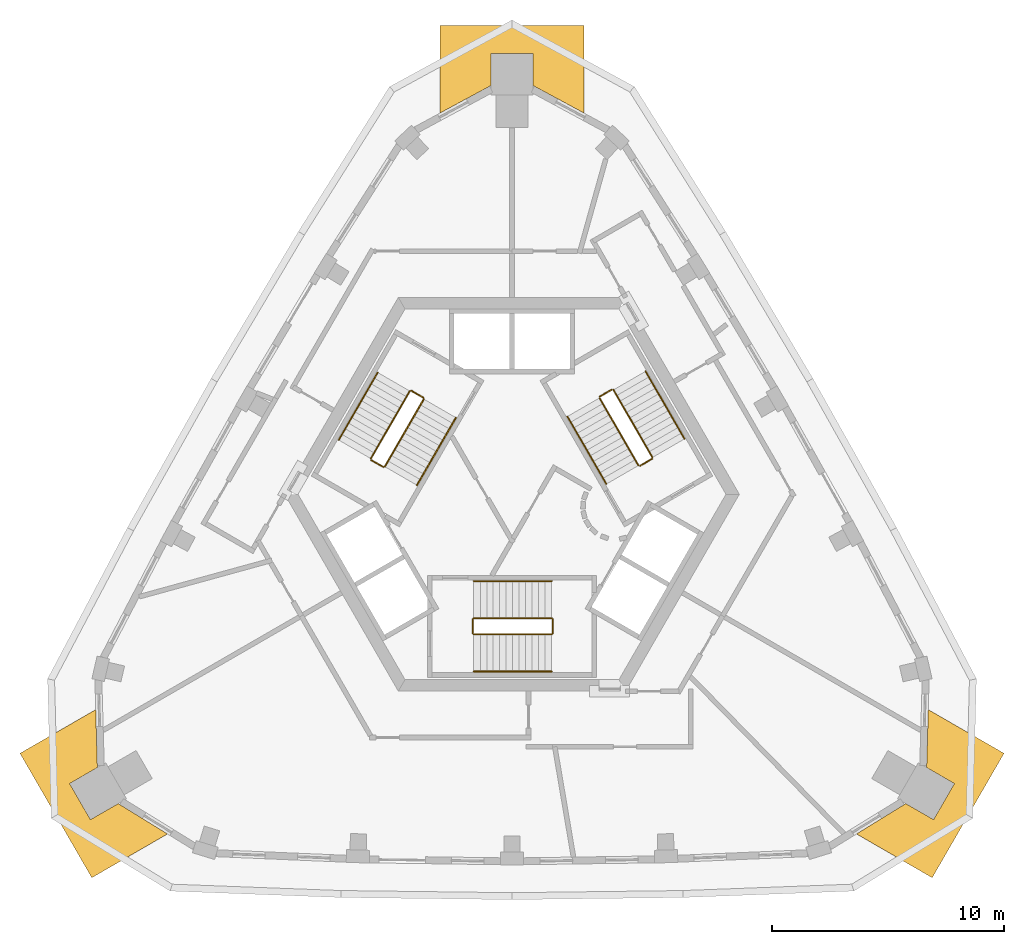
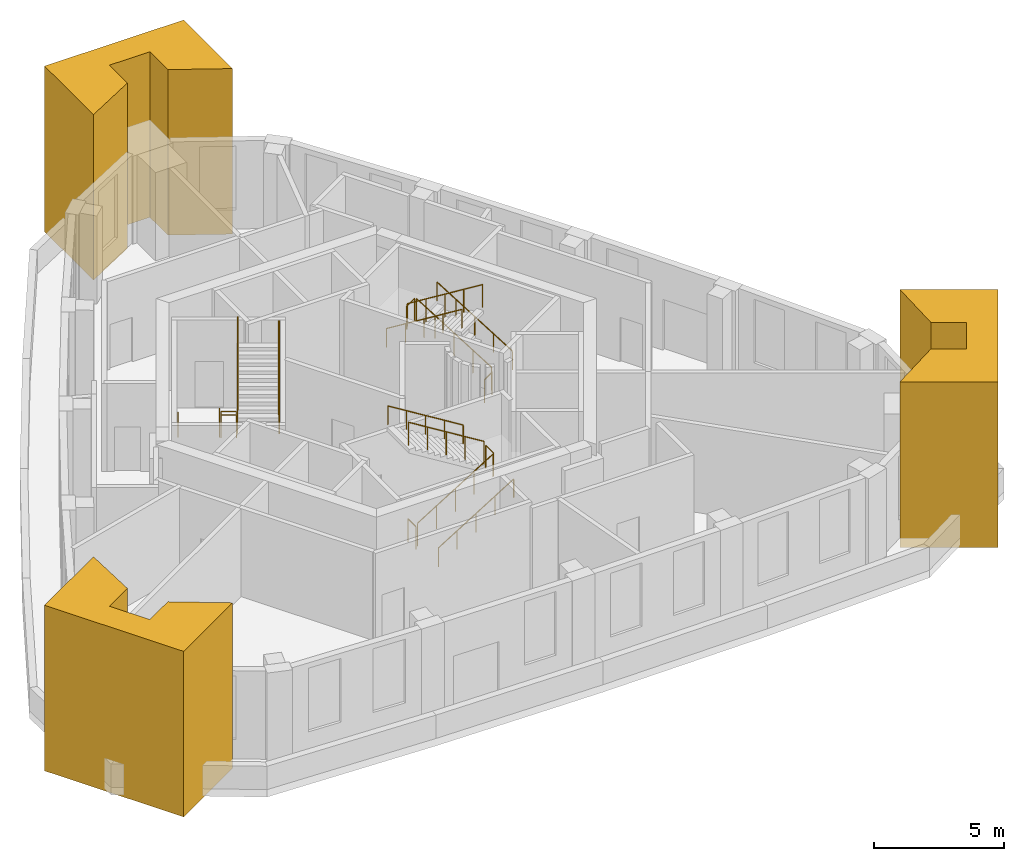
# One storey, part 7 of 7: 18 railings, 3 coverings.
"""IFC4 building model written with IfcOpenShell, lengths in metres."""

from ifc_helpers import new_model, si_unit, direction, frame, origin, origin_2d, place, context, subcontext, project, spatial, polyline, circle, outline, extrude, material, type_object, element, save


model = new_model("IFC4")

# Units and contexts
model_context = context("Model", 3, precision=1e-05, world=origin(), true_north=direction((0.0, 1.0)))
body_context = subcontext(model_context, "Body", "Model", "MODEL_VIEW")
ifc_project = project(units=[si_unit("LENGTHUNIT", "METRE"), si_unit("AREAUNIT", "SQUARE_METRE"), si_unit("VOLUMEUNIT", "CUBIC_METRE"), si_unit("PLANEANGLEUNIT", "RADIAN"), si_unit("MASSUNIT", "GRAM", prefix="KILO")], contexts=[model_context])

# Site, building, storey
site_placement = place(None, origin())
site = spatial("IfcSite", under=ifc_project, at=site_placement, CompositionType="ELEMENT")
building_placement = place(site_placement, origin())
building = spatial("IfcBuilding", under=site, at=building_placement, Name="Entoto Arch Interchange Tower", CompositionType="ELEMENT")
storey_placement = place(building_placement, frame((0.0, 0.0, 349.39990234375)))
storey = spatial("IfcBuildingStorey", under=building, at=storey_placement, Name="L82", CompositionType="ELEMENT", Elevation=349.39990234375)

# Coverings
ifc_material_1 = material(Name="Board-marked precast concrete C50/60", Category="concrete")
covering_type = type_object("IfcCoveringType", Name="PRECAST FRAME COURSE", PredefinedType="CLADDING", material=ifc_material_1)
covering_1_placement = place(storey_placement, frame((0.0, 0.0, -0.449951171875)))
element("IfcCovering", 1, at=covering_1_placement, inside=storey, type_object=covering_type, Name="Corner pilaster SE L82-L83", PredefinedType="CLADDING", context=body_context, shape_type="SweptSolid", body=[
    extrude(outline(polyline([(21.240966796875, -8.68408203125), (18.14111328125, -14.053955078125), (14.8720703125, -12.166015625), (17.0009765625, -10.85498046875), (18.200927734375, -11.548095703125), (19.10107421875, -9.989990234375), (17.90087890625, -9.297119140625), (17.971923828125, -6.797119140625), (21.240966796875, -8.68408203125)])), origin(), (0.0, 0.0, 1.0), 7.800048828125),
])
covering_2_placement = place(storey_placement, frame((0.0, 0.0, -0.449951171875)))
element("IfcCovering", 2, at=covering_2_placement, inside=storey, type_object=covering_type, Name="Corner pilaster N L82-L83", PredefinedType="CLADDING", context=body_context, shape_type="SweptSolid", body=[
    extrude(outline(polyline([(-3.10009765625, 22.737060546875), (3.10009765625, 22.737060546875), (3.10009765625, 18.9619140625), (0.89990234375, 20.15087890625), (0.89990234375, 21.537109375), (-0.89990234375, 21.537109375), (-0.89990234375, 20.15087890625), (-3.10009765625, 18.9619140625), (-3.10009765625, 22.737060546875)])), origin(), (0.0, 0.0, 1.0), 7.800048828125),
])
covering_3_placement = place(storey_placement, frame((0.0, 0.0, -0.449951171875)))
element("IfcCovering", 3, at=covering_3_placement, inside=storey, type_object=covering_type, Name="Corner pilaster SW L82-L83", PredefinedType="CLADDING", context=body_context, shape_type="SweptSolid", body=[
    extrude(outline(polyline([(-18.14111328125, -14.053955078125), (-21.240966796875, -8.68408203125), (-17.971923828125, -6.797119140625), (-17.90087890625, -9.297119140625), (-19.10107421875, -9.989990234375), (-18.200927734375, -11.548095703125), (-17.0009765625, -10.85498046875), (-14.8720703125, -12.166015625), (-18.14111328125, -14.053955078125)])), origin(), (0.0, 0.0, 1.0), 7.800048828125),
])

# Railings
ifc_material_2 = material(Name="Stainless steel 1.4301", Category="steel")
railing_type_1 = type_object("IfcRailingType", Name="STAIR GUARD 1100 STEEL", PredefinedType="GUARDRAIL", material=ifc_material_2)
railing_1_placement = place(storey_placement, frame((-1.64990234375, -3.550048828125, 0.173095703125)))
element("IfcRailing", 4, at=railing_1_placement, inside=storey, type_object=railing_type_1, Name="L82 ST-S stair guard 1", PredefinedType="GUARDRAIL", context=body_context, shape_type="SweptSolid", body=[
    extrude(circle(Radius=0.02392578125, at=origin_2d()), frame((0.0, 0.0, 1.076171875), z_axis=(0.850606129759, 0.0, 0.525803396734), x_axis=(0.0, 1.0, 0.0)), (0.0, 0.0, 1.0), 3.949951171875),
    extrude(circle(Radius=0.02099609375, at=origin_2d()), origin(), (0.0, 0.0, 1.0), 1.052001953125),
    extrude(circle(Radius=0.02099609375, at=origin_2d()), frame((0.83984375, 0.0, 0.519287109375)), (0.0, 0.0, 1.0), 1.052001953125),
    extrude(circle(Radius=0.02099609375, at=origin_2d()), frame((1.679931640625, 0.0, 1.03857421875)), (0.0, 0.0, 1.0), 1.052001953125),
    extrude(circle(Radius=0.02099609375, at=origin_2d()), frame((2.52001953125, 0.0, 1.5576171875)), (0.0, 0.0, 1.0), 1.052001953125),
    extrude(circle(Radius=0.02099609375, at=origin_2d()), frame((3.35986328125, 0.0, 2.076904296875)), (0.0, 0.0, 1.0), 1.052001953125),
])
railing_2_placement = place(storey_placement, frame((1.760009765625, -3.5, 2.25)))
element("IfcRailing", 5, at=railing_2_placement, inside=storey, type_object=railing_type_1, Name="L82 ST-S stair guard 2", PredefinedType="GUARDRAIL", context=body_context, shape_type="SweptSolid", body=[
    extrude(circle(Radius=0.02392578125, at=origin_2d()), frame((0.0, 0.0, 1.076171875), z_axis=(0.0, 1.0, 0.0), x_axis=(-1.0, 0.0, 0.0)), (0.0, 0.0, 1.0), 0.60009765625),
    extrude(circle(Radius=0.02099609375, at=origin_2d()), origin(), (0.0, 0.0, 1.0), 1.052001953125),
    extrude(circle(Radius=0.02099609375, at=origin_2d()), frame((0.0, 0.60009765625, 0.0)), (0.0, 0.0, 1.0), 1.052001953125),
])
railing_3_placement = place(storey_placement, frame((1.7099609375, -2.85009765625, 2.423095703125)))
element("IfcRailing", 6, at=railing_3_placement, inside=storey, type_object=railing_type_1, Name="L82 ST-S stair guard 3", PredefinedType="GUARDRAIL", context=body_context, shape_type="SweptSolid", body=[
    extrude(circle(Radius=0.02392578125, at=origin_2d()), frame((0.0, 0.0, 1.076171875), z_axis=(-0.850606129759, 0.0, 0.525803396734), x_axis=(0.0, -1.0, 0.0)), (0.0, 0.0, 1.0), 3.949951171875),
    extrude(circle(Radius=0.02099609375, at=origin_2d()), origin(), (0.0, 0.0, 1.0), 1.052001953125),
    extrude(circle(Radius=0.02099609375, at=origin_2d()), frame((-0.83984375, 0.0, 0.519287109375)), (0.0, 0.0, 1.0), 1.052001953125),
    extrude(circle(Radius=0.02099609375, at=origin_2d()), frame((-1.679931640625, 0.0, 1.03857421875)), (0.0, 0.0, 1.0), 1.052001953125),
    extrude(circle(Radius=0.02099609375, at=origin_2d()), frame((-2.52001953125, 0.0, 1.5576171875)), (0.0, 0.0, 1.0), 1.052001953125),
    extrude(circle(Radius=0.02099609375, at=origin_2d()), frame((-3.35986328125, 0.0, 2.076904296875)), (0.0, 0.0, 1.0), 1.052001953125),
])
railing_4_placement = place(storey_placement, frame((-1.699951171875, -3.5, 0.0)))
element("IfcRailing", 7, at=railing_4_placement, inside=storey, type_object=railing_type_1, Name="L82 ST-S stair guard 4", PredefinedType="GUARDRAIL", context=body_context, shape_type="SweptSolid", body=[
    extrude(circle(Radius=0.02392578125, at=origin_2d()), frame((0.0, 0.0, 1.076171875), z_axis=(0.0, 1.0, 0.0), x_axis=(-1.0, 0.0, 0.0)), (0.0, 0.0, 1.0), 0.60009765625),
    extrude(circle(Radius=0.02099609375, at=origin_2d()), origin(), (0.0, 0.0, 1.0), 1.052001953125),
    extrude(circle(Radius=0.02099609375, at=origin_2d()), frame((0.0, 0.60009765625, 0.0)), (0.0, 0.0, 1.0), 1.052001953125),
])
railing_5_placement = place(storey_placement, frame((6.064453125, 4.095947265625, 0.173095703125)))
element("IfcRailing", 8, at=railing_5_placement, inside=storey, type_object=railing_type_1, Name="L82 ST-NE stair guard 1", PredefinedType="GUARDRAIL", context=body_context, shape_type="SweptSolid", body=[
    extrude(circle(Radius=0.02392578125, at=origin_2d()), frame((0.0, 0.0, 1.076171875), z_axis=(-0.425288379326, 0.736667954249, 0.525785240943), x_axis=(-0.866039179741, -0.499976138585, 0.0)), (0.0, 0.0, 1.0), 3.9501953125),
    extrude(circle(Radius=0.02099609375, at=origin_2d()), origin(), (0.0, 0.0, 1.0), 1.052001953125),
    extrude(circle(Radius=0.02099609375, at=origin_2d()), frame((-0.419921875, 0.7275390625, 0.519287109375)), (0.0, 0.0, 1.0), 1.052001953125),
    extrude(circle(Radius=0.02099609375, at=origin_2d()), frame((-0.83984375, 1.455078125, 1.03857421875)), (0.0, 0.0, 1.0), 1.052001953125),
    extrude(circle(Radius=0.02099609375, at=origin_2d()), frame((-1.260009765625, 2.182373046875, 1.5576171875)), (0.0, 0.0, 1.0), 1.052001953125),
    extrude(circle(Radius=0.02099609375, at=origin_2d()), frame((-1.679931640625, 2.909912109375, 2.076904296875)), (0.0, 0.0, 1.0), 1.052001953125),
])
railing_6_placement = place(storey_placement, frame((4.316162109375, 7.024169921875, 2.25)))
element("IfcRailing", 9, at=railing_6_placement, inside=storey, type_object=railing_type_1, Name="L82 ST-NE stair guard 2", PredefinedType="GUARDRAIL", context=body_context, shape_type="SweptSolid", body=[
    extrude(circle(Radius=0.02392578125, at=origin_2d()), frame((0.0, 0.0, 1.076171875), z_axis=(-0.865955154139, -0.50012165622, 0.0), x_axis=(0.50012165622, -0.865955154139, 0.0)), (0.0, 0.0, 1.0), 0.599853515625),
    extrude(circle(Radius=0.02099609375, at=origin_2d()), origin(), (0.0, 0.0, 1.0), 1.052001953125),
    extrude(circle(Radius=0.02099609375, at=origin_2d()), frame((-0.51953125, -0.300048828125, 0.0)), (0.0, 0.0, 1.0), 1.052001953125),
])
railing_7_placement = place(storey_placement, frame((3.7783203125, 6.656005859375, 2.423095703125)))
element("IfcRailing", 10, at=railing_7_placement, inside=storey, type_object=railing_type_1, Name="L82 ST-NE stair guard 3", PredefinedType="GUARDRAIL", context=body_context, shape_type="SweptSolid", body=[
    extrude(circle(Radius=0.02392578125, at=origin_2d()), frame((0.0, 0.0, 1.076171875), z_axis=(0.425288379326, -0.736667954249, 0.525785240943), x_axis=(0.866039179741, 0.499976138585, 0.0)), (0.0, 0.0, 1.0), 3.9501953125),
    extrude(circle(Radius=0.02099609375, at=origin_2d()), origin(), (0.0, 0.0, 1.0), 1.052001953125),
    extrude(circle(Radius=0.02099609375, at=origin_2d()), frame((0.419921875, -0.7275390625, 0.519287109375)), (0.0, 0.0, 1.0), 1.052001953125),
    extrude(circle(Radius=0.02099609375, at=origin_2d()), frame((0.83984375, -1.455078125, 1.03857421875)), (0.0, 0.0, 1.0), 1.052001953125),
    extrude(circle(Radius=0.02099609375, at=origin_2d()), frame((1.260009765625, -2.182373046875, 1.5576171875)), (0.0, 0.0, 1.0), 1.052001953125),
    extrude(circle(Radius=0.02099609375, at=origin_2d()), frame((1.679931640625, -2.909912109375, 2.076904296875)), (0.0, 0.0, 1.0), 1.052001953125),
])
railing_8_placement = place(storey_placement, frame((6.046142578125, 4.02783203125, 0.0)))
element("IfcRailing", 11, at=railing_8_placement, inside=storey, type_object=railing_type_1, Name="L82 ST-NE stair guard 4", PredefinedType="GUARDRAIL", context=body_context, shape_type="SweptSolid", body=[
    extrude(circle(Radius=0.02392578125, at=origin_2d()), frame((0.0, 0.0, 1.076171875), z_axis=(-0.865955154139, -0.50012165622, 0.0), x_axis=(0.50012165622, -0.865955154139, 0.0)), (0.0, 0.0, 1.0), 0.599853515625),
    extrude(circle(Radius=0.02099609375, at=origin_2d()), origin(), (0.0, 0.0, 1.0), 1.052001953125),
    extrude(circle(Radius=0.02099609375, at=origin_2d()), frame((-0.51953125, -0.300048828125, 0.0)), (0.0, 0.0, 1.0), 1.052001953125),
])
railing_9_placement = place(storey_placement, frame((-4.41455078125, 6.953857421875, 0.173095703125)))
element("IfcRailing", 12, at=railing_9_placement, inside=storey, type_object=railing_type_1, Name="L82 ST-NW stair guard 1", PredefinedType="GUARDRAIL", context=body_context, shape_type="SweptSolid", body=[
    extrude(circle(Radius=0.02392578125, at=origin_2d()), frame((0.0, 0.0, 1.076171875), z_axis=(-0.425307743487, -0.736639687092, 0.525809180911), x_axis=(0.866021014662, -0.500007602105, 0.0)), (0.0, 0.0, 1.0), 3.949951171875),
    extrude(circle(Radius=0.02099609375, at=origin_2d()), origin(), (0.0, 0.0, 1.0), 1.052001953125),
    extrude(circle(Radius=0.02099609375, at=origin_2d()), frame((-0.419921875, -0.7275390625, 0.519287109375)), (0.0, 0.0, 1.0), 1.052001953125),
    extrude(circle(Radius=0.02099609375, at=origin_2d()), frame((-0.83984375, -1.454833984375, 1.03857421875)), (0.0, 0.0, 1.0), 1.052001953125),
    extrude(circle(Radius=0.02099609375, at=origin_2d()), frame((-1.260009765625, -2.18212890625, 1.5576171875)), (0.0, 0.0, 1.0), 1.052001953125),
    extrude(circle(Radius=0.02099609375, at=origin_2d()), frame((-1.679931640625, -2.90966796875, 2.076904296875)), (0.0, 0.0, 1.0), 1.052001953125),
])
railing_10_placement = place(storey_placement, frame((-6.076171875, 3.975830078125, 2.25)))
element("IfcRailing", 13, at=railing_10_placement, inside=storey, type_object=railing_type_1, Name="L82 ST-NW stair guard 2", PredefinedType="GUARDRAIL", context=body_context, shape_type="SweptSolid", body=[
    extrude(circle(Radius=0.02392578125, at=origin_2d()), frame((0.0, 0.0, 1.076171875), z_axis=(0.865955154139, -0.50012165622, 0.0), x_axis=(0.50012165622, 0.865955154139, 0.0)), (0.0, 0.0, 1.0), 0.599853515625),
    extrude(circle(Radius=0.02099609375, at=origin_2d()), origin(), (0.0, 0.0, 1.0), 1.052001953125),
    extrude(circle(Radius=0.02099609375, at=origin_2d()), frame((0.51953125, -0.300048828125, 0.0)), (0.0, 0.0, 1.0), 1.052001953125),
])
railing_11_placement = place(storey_placement, frame((-5.48828125, 3.694091796875, 2.423095703125)))
element("IfcRailing", 14, at=railing_11_placement, inside=storey, type_object=railing_type_1, Name="L82 ST-NW stair guard 3", PredefinedType="GUARDRAIL", context=body_context, shape_type="SweptSolid", body=[
    extrude(circle(Radius=0.02392578125, at=origin_2d()), frame((0.0, 0.0, 1.076171875), z_axis=(0.425288379326, 0.736667954249, 0.525785240943), x_axis=(-0.866039179741, 0.499976138585, 0.0)), (0.0, 0.0, 1.0), 3.9501953125),
    extrude(circle(Radius=0.02099609375, at=origin_2d()), origin(), (0.0, 0.0, 1.0), 1.052001953125),
    extrude(circle(Radius=0.02099609375, at=origin_2d()), frame((0.419921875, 0.7275390625, 0.519287109375)), (0.0, 0.0, 1.0), 1.052001953125),
    extrude(circle(Radius=0.02099609375, at=origin_2d()), frame((0.83984375, 1.455078125, 1.03857421875)), (0.0, 0.0, 1.0), 1.052001953125),
    extrude(circle(Radius=0.02099609375, at=origin_2d()), frame((1.260009765625, 2.182373046875, 1.5576171875)), (0.0, 0.0, 1.0), 1.052001953125),
    extrude(circle(Radius=0.02099609375, at=origin_2d()), frame((1.679931640625, 2.909912109375, 2.076904296875)), (0.0, 0.0, 1.0), 1.052001953125),
])
railing_12_placement = place(storey_placement, frame((-4.34619140625, 6.97216796875, 0.0)))
element("IfcRailing", 15, at=railing_12_placement, inside=storey, type_object=railing_type_1, Name="L82 ST-NW stair guard 4", PredefinedType="GUARDRAIL", context=body_context, shape_type="SweptSolid", body=[
    extrude(circle(Radius=0.02392578125, at=origin_2d()), frame((0.0, 0.0, 1.076171875), z_axis=(0.866232998003, -0.499640263761, 0.0), x_axis=(0.499640263761, 0.866232998003, 0.0)), (0.0, 0.0, 1.0), 0.60009765625),
    extrude(circle(Radius=0.02099609375, at=origin_2d()), origin(), (0.0, 0.0, 1.0), 1.052001953125),
    extrude(circle(Radius=0.02099609375, at=origin_2d()), frame((0.519775390625, -0.2998046875, 0.0)), (0.0, 0.0, 1.0), 1.052001953125),
])
railing_type_2 = type_object("IfcRailingType", Name="STAIR HANDRAIL 900 STEEL", PredefinedType="HANDRAIL", material=ifc_material_2)
railing_13_placement = place(storey_placement, frame((-1.64990234375, -5.14990234375, 0.173095703125)))
element("IfcRailing", 16, at=railing_13_placement, inside=storey, type_object=railing_type_2, Name="L82 ST-S stair handrail 1", PredefinedType="HANDRAIL", context=body_context, shape_type="SweptSolid", body=[
    extrude(circle(Radius=0.02392578125, at=origin_2d()), frame((0.0, 0.0, 0.8759765625), z_axis=(0.850606129759, 0.0, 0.525803396734), x_axis=(0.0, 1.0, 0.0)), (0.0, 0.0, 1.0), 3.949951171875),
    extrude(circle(Radius=0.02099609375, at=origin_2d()), origin(), (0.0, 0.0, 1.0), 0.851806640625),
    extrude(circle(Radius=0.02099609375, at=origin_2d()), frame((0.83984375, 0.0, 0.519287109375)), (0.0, 0.0, 1.0), 0.851806640625),
    extrude(circle(Radius=0.02099609375, at=origin_2d()), frame((1.679931640625, 0.0, 1.03857421875)), (0.0, 0.0, 1.0), 0.851806640625),
    extrude(circle(Radius=0.02099609375, at=origin_2d()), frame((2.52001953125, 0.0, 1.5576171875)), (0.0, 0.0, 1.0), 0.851806640625),
    extrude(circle(Radius=0.02099609375, at=origin_2d()), frame((3.35986328125, 0.0, 2.076904296875)), (0.0, 0.0, 1.0), 0.851806640625),
])
railing_14_placement = place(storey_placement, frame((1.7099609375, -1.25, 2.423095703125)))
element("IfcRailing", 17, at=railing_14_placement, inside=storey, type_object=railing_type_2, Name="L82 ST-S stair handrail 2", PredefinedType="HANDRAIL", context=body_context, shape_type="SweptSolid", body=[
    extrude(circle(Radius=0.02392578125, at=origin_2d()), frame((0.0, 0.0, 0.8759765625), z_axis=(-0.850606129759, 0.0, 0.525803396734), x_axis=(0.0, -1.0, 0.0)), (0.0, 0.0, 1.0), 3.949951171875),
    extrude(circle(Radius=0.02099609375, at=origin_2d()), origin(), (0.0, 0.0, 1.0), 0.851806640625),
    extrude(circle(Radius=0.02099609375, at=origin_2d()), frame((-0.83984375, 0.0, 0.519287109375)), (0.0, 0.0, 1.0), 0.851806640625),
    extrude(circle(Radius=0.02099609375, at=origin_2d()), frame((-1.679931640625, 0.0, 1.03857421875)), (0.0, 0.0, 1.0), 0.851806640625),
    extrude(circle(Radius=0.02099609375, at=origin_2d()), frame((-2.52001953125, 0.0, 1.5576171875)), (0.0, 0.0, 1.0), 0.851806640625),
    extrude(circle(Radius=0.02099609375, at=origin_2d()), frame((-3.35986328125, 0.0, 2.076904296875)), (0.0, 0.0, 1.0), 0.851806640625),
])
railing_15_placement = place(storey_placement, frame((7.4501953125, 4.89599609375, 0.173095703125)))
element("IfcRailing", 18, at=railing_15_placement, inside=storey, type_object=railing_type_2, Name="L82 ST-NE stair handrail 1", PredefinedType="HANDRAIL", context=body_context, shape_type="SweptSolid", body=[
    extrude(circle(Radius=0.02392578125, at=origin_2d()), frame((0.0, 0.0, 0.8759765625), z_axis=(-0.42533900462, 0.736648589954, 0.52577141998), x_axis=(-0.866007717299, -0.500030632641, 0.0)), (0.0, 0.0, 1.0), 3.9501953125),
    extrude(circle(Radius=0.02099609375, at=origin_2d()), origin(), (0.0, 0.0, 1.0), 0.851806640625),
    extrude(circle(Radius=0.02099609375, at=origin_2d()), frame((-0.419921875, 0.7275390625, 0.519287109375)), (0.0, 0.0, 1.0), 0.851806640625),
    extrude(circle(Radius=0.02099609375, at=origin_2d()), frame((-0.840087890625, 1.455078125, 1.03857421875)), (0.0, 0.0, 1.0), 0.851806640625),
    extrude(circle(Radius=0.02099609375, at=origin_2d()), frame((-1.26025390625, 2.182373046875, 1.5576171875)), (0.0, 0.0, 1.0), 0.851806640625),
    extrude(circle(Radius=0.02099609375, at=origin_2d()), frame((-1.68017578125, 2.909912109375, 2.076904296875)), (0.0, 0.0, 1.0), 0.851806640625),
])
railing_16_placement = place(storey_placement, frame((2.392578125, 5.85595703125, 2.423095703125)))
element("IfcRailing", 19, at=railing_16_placement, inside=storey, type_object=railing_type_2, Name="L82 ST-NE stair handrail 2", PredefinedType="HANDRAIL", context=body_context, shape_type="SweptSolid", body=[
    extrude(circle(Radius=0.02392578125, at=origin_2d()), frame((0.0, 0.0, 0.8759765625), z_axis=(0.425288379326, -0.736667954249, 0.525785240943), x_axis=(0.866039179741, 0.499976138585, 0.0)), (0.0, 0.0, 1.0), 3.9501953125),
    extrude(circle(Radius=0.02099609375, at=origin_2d()), origin(), (0.0, 0.0, 1.0), 0.851806640625),
    extrude(circle(Radius=0.02099609375, at=origin_2d()), frame((0.419921875, -0.7275390625, 0.519287109375)), (0.0, 0.0, 1.0), 0.851806640625),
    extrude(circle(Radius=0.02099609375, at=origin_2d()), frame((0.83984375, -1.455078125, 1.03857421875)), (0.0, 0.0, 1.0), 0.851806640625),
    extrude(circle(Radius=0.02099609375, at=origin_2d()), frame((1.260009765625, -2.182373046875, 1.5576171875)), (0.0, 0.0, 1.0), 0.851806640625),
    extrude(circle(Radius=0.02099609375, at=origin_2d()), frame((1.679931640625, -2.909912109375, 2.076904296875)), (0.0, 0.0, 1.0), 0.851806640625),
])
railing_17_placement = place(storey_placement, frame((-5.800048828125, 7.75390625, 0.173095703125)))
element("IfcRailing", 20, at=railing_17_placement, inside=storey, type_object=railing_type_2, Name="L82 ST-NW stair handrail 1", PredefinedType="HANDRAIL", context=body_context, shape_type="SweptSolid", body=[
    extrude(circle(Radius=0.02392578125, at=origin_2d()), frame((0.0, 0.0, 0.8759765625), z_axis=(-0.425288379326, -0.736667954249, 0.525785240943), x_axis=(0.866039179741, -0.499976138585, 0.0)), (0.0, 0.0, 1.0), 3.9501953125),
    extrude(circle(Radius=0.02099609375, at=origin_2d()), origin(), (0.0, 0.0, 1.0), 0.851806640625),
    extrude(circle(Radius=0.02099609375, at=origin_2d()), frame((-0.419921875, -0.7275390625, 0.519287109375)), (0.0, 0.0, 1.0), 0.851806640625),
    extrude(circle(Radius=0.02099609375, at=origin_2d()), frame((-0.83984375, -1.455078125, 1.03857421875)), (0.0, 0.0, 1.0), 0.851806640625),
    extrude(circle(Radius=0.02099609375, at=origin_2d()), frame((-1.260009765625, -2.182373046875, 1.5576171875)), (0.0, 0.0, 1.0), 0.851806640625),
    extrude(circle(Radius=0.02099609375, at=origin_2d()), frame((-1.679931640625, -2.909912109375, 2.076904296875)), (0.0, 0.0, 1.0), 0.851806640625),
])
railing_18_placement = place(storey_placement, frame((-4.1025390625, 2.89404296875, 2.423095703125)))
element("IfcRailing", 21, at=railing_18_placement, inside=storey, type_object=railing_type_2, Name="L82 ST-NW stair handrail 2", PredefinedType="HANDRAIL", context=body_context, shape_type="SweptSolid", body=[
    extrude(circle(Radius=0.02392578125, at=origin_2d()), frame((0.0, 0.0, 0.8759765625), z_axis=(0.425288379326, 0.736667954249, 0.525785240943), x_axis=(-0.866039179741, 0.499976138585, 0.0)), (0.0, 0.0, 1.0), 3.9501953125),
    extrude(circle(Radius=0.02099609375, at=origin_2d()), origin(), (0.0, 0.0, 1.0), 0.851806640625),
    extrude(circle(Radius=0.02099609375, at=origin_2d()), frame((0.419921875, 0.7275390625, 0.519287109375)), (0.0, 0.0, 1.0), 0.851806640625),
    extrude(circle(Radius=0.02099609375, at=origin_2d()), frame((0.83984375, 1.455078125, 1.03857421875)), (0.0, 0.0, 1.0), 0.851806640625),
    extrude(circle(Radius=0.02099609375, at=origin_2d()), frame((1.260009765625, 2.182373046875, 1.5576171875)), (0.0, 0.0, 1.0), 0.851806640625),
    extrude(circle(Radius=0.02099609375, at=origin_2d()), frame((1.679931640625, 2.909912109375, 2.076904296875)), (0.0, 0.0, 1.0), 0.851806640625),
])

save(model, "model.ifc")
